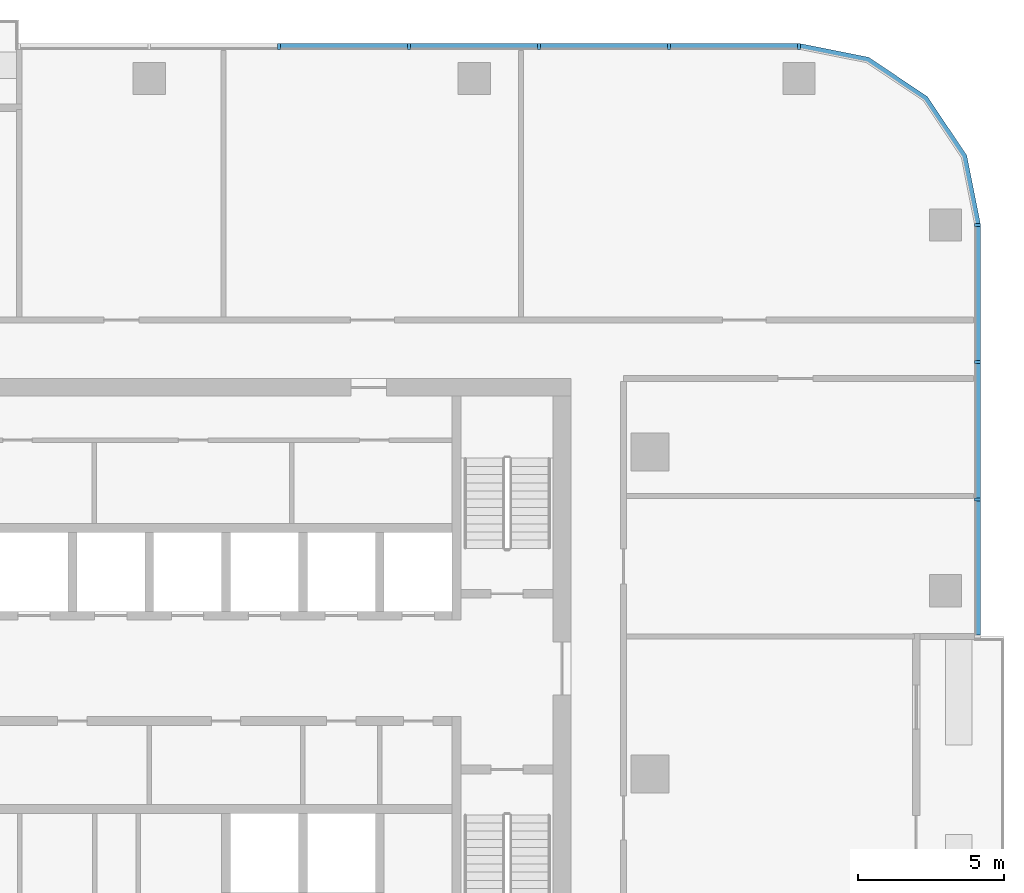
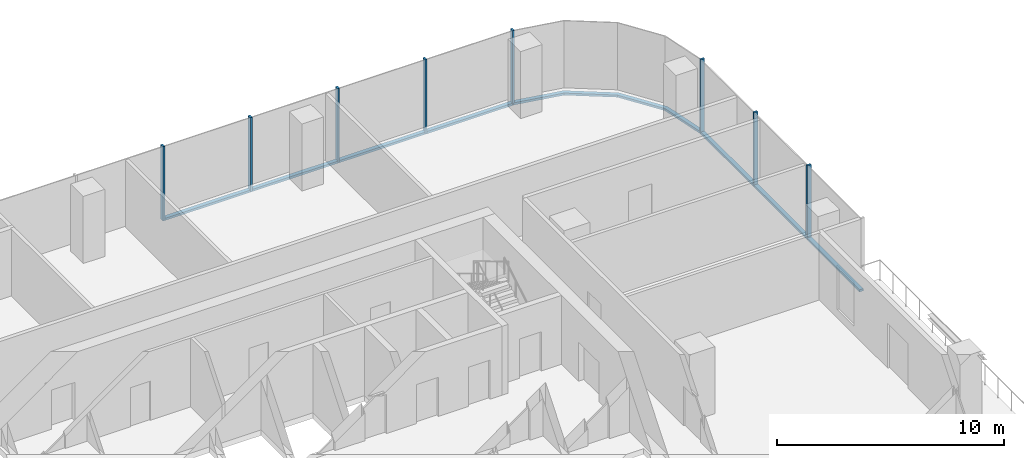
# One storey, part 5 of 14: 16 members, 3 elements without a shape of their own.
"""IFC4 building model written with IfcOpenShell, lengths in metres."""

from ifc_helpers import new_model, si_unit, direction, frame, origin, origin_2d, place, context, subcontext, project, spatial, polyline, rectangle, outline, extrude, material, material_profile, profile_set, type_object, element, aggregate, save


model = new_model("IFC4")

# Units and contexts
model_context = context("Model", 3, precision=1e-05, world=origin(), true_north=direction((0.0, 1.0)))
body_context = subcontext(model_context, "Body", "Model", "MODEL_VIEW")
ifc_project = project(units=[si_unit("LENGTHUNIT", "METRE"), si_unit("AREAUNIT", "SQUARE_METRE"), si_unit("VOLUMEUNIT", "CUBIC_METRE"), si_unit("PLANEANGLEUNIT", "RADIAN"), si_unit("MASSUNIT", "GRAM", prefix="KILO")], contexts=[model_context])

# Site, building, storey
site_placement = place(None, origin())
site = spatial("IfcSite", under=ifc_project, at=site_placement, CompositionType="ELEMENT")
building_placement = place(site_placement, origin())
building = spatial("IfcBuilding", under=site, at=building_placement, Name="Mopane Tessera Tower", CompositionType="ELEMENT")
storey_placement = place(building_placement, frame((0.0, 0.0, 219.0)))
storey = spatial("IfcBuildingStorey", under=building, at=storey_placement, Name="L46", CompositionType="ELEMENT", Elevation=219.0)

# Curtain wall, members
ifc_material_1 = material(Name="Aluminium frame", Category="aluminium")
curtain_wall_type = type_object("IfcCurtainWallType", Name="Unitised curtain wall", PredefinedType="NOTDEFINED", material=ifc_material_1)
curtain_wall_1_placement = place(storey_placement, origin())
curtain_wall_1 = element("IfcCurtainWall", 1, at=curtain_wall_1_placement, inside=storey, type_object=curtain_wall_type, Name="e:cw:L46:E:5", PredefinedType="NOTDEFINED")
ifc_material_2 = material(Name="Aluminium frame", Category="aluminium")
ifc_material_profile_1 = material_profile(ifc_material_2, rectangle(XDim=0.10009765625, YDim=0.199951171875, at=origin_2d()))
ifc_profile_set_1 = profile_set([ifc_material_profile_1], Name="Aluminium frame")
member_type_1 = type_object("IfcMemberType", Name="Aluminium mullion 100 x 200", PredefinedType="MULLION", material=ifc_profile_set_1)
member_1_placement = place(storey_placement, frame((28.300048828125, 9.375, -0.39990234375), z_axis=(0.0, 0.0, 1.0), x_axis=(0.0, 1.0, 0.0)))
member_1 = element("IfcMember", 2, at=member_1_placement, type_object=member_type_1, Name="e:cw:L46:E:5:mu6", PredefinedType="MULLION", context=body_context, shape_type="SweptSolid", body=[
    extrude(rectangle(XDim=0.10009765625, YDim=0.199951171875, at=origin_2d()), origin(), (0.0, 0.0, 1.0), 4.0),
])
member_2_placement = place(storey_placement, frame((28.300048828125, 14.0625, -0.39990234375), z_axis=(0.0, 0.0, 1.0), x_axis=(0.0, 1.0, 0.0)))
member_2 = element("IfcMember", 3, at=member_2_placement, type_object=member_type_1, Name="e:cw:L46:E:5:mu7", PredefinedType="MULLION", context=body_context, shape_type="SweptSolid", body=[
    extrude(rectangle(XDim=0.10009765625, YDim=0.199951171875, at=origin_2d()), origin(), (0.0, 0.0, 1.0), 4.0),
])
member_3_placement = place(storey_placement, frame((28.300048828125, 18.75, -0.39990234375), z_axis=(0.0, 0.0, 1.0), x_axis=(0.0, 1.0, 0.0)))
member_3 = element("IfcMember", 4, at=member_3_placement, type_object=member_type_1, Name="e:cw:L46:E:5:mu8", PredefinedType="MULLION", context=body_context, shape_type="SweptSolid", body=[
    extrude(rectangle(XDim=0.10009765625, YDim=0.199951171875, at=origin_2d()), origin(), (0.0, 0.0, 1.0), 4.0),
])

curtain_wall_2_placement = place(storey_placement, origin())
curtain_wall_2 = element("IfcCurtainWall", 5, at=curtain_wall_2_placement, inside=storey, type_object=curtain_wall_type, Name="e:cw:L46:N:0", PredefinedType="NOTDEFINED")
member_4_placement = place(storey_placement, frame((22.199951171875, 24.85009765625, -0.39990234375), z_axis=(0.0, 0.0, 1.0), x_axis=(-1.0, 0.0, 0.0)))
member_4 = element("IfcMember", 6, at=member_4_placement, type_object=member_type_1, Name="e:cw:L46:N:0:mu0", PredefinedType="MULLION", context=body_context, shape_type="SweptSolid", body=[
    extrude(rectangle(XDim=0.10009765625, YDim=0.199951171875, at=origin_2d()), origin(), (0.0, 0.0, 1.0), 4.0),
])
member_5_placement = place(storey_placement, frame((17.760009765625, 24.85009765625, -0.39990234375), z_axis=(0.0, 0.0, 1.0), x_axis=(-1.0, 0.0, 0.0)))
member_5 = element("IfcMember", 7, at=member_5_placement, type_object=member_type_1, Name="e:cw:L46:N:0:mu1", PredefinedType="MULLION", context=body_context, shape_type="SweptSolid", body=[
    extrude(rectangle(XDim=0.10009765625, YDim=0.199951171875, at=origin_2d()), origin(), (0.0, 0.0, 1.0), 4.0),
])
member_6_placement = place(storey_placement, frame((13.320068359375, 24.85009765625, -0.39990234375), z_axis=(0.0, 0.0, 1.0), x_axis=(-1.0, 0.0, 0.0)))
member_6 = element("IfcMember", 8, at=member_6_placement, type_object=member_type_1, Name="e:cw:L46:N:0:mu2", PredefinedType="MULLION", context=body_context, shape_type="SweptSolid", body=[
    extrude(rectangle(XDim=0.10009765625, YDim=0.199951171875, at=origin_2d()), origin(), (0.0, 0.0, 1.0), 4.0),
])
member_7_placement = place(storey_placement, frame((8.8798828125, 24.85009765625, -0.39990234375), z_axis=(0.0, 0.0, 1.0), x_axis=(-1.0, 0.0, 0.0)))
member_7 = element("IfcMember", 9, at=member_7_placement, type_object=member_type_1, Name="e:cw:L46:N:0:mu3", PredefinedType="MULLION", context=body_context, shape_type="SweptSolid", body=[
    extrude(rectangle(XDim=0.10009765625, YDim=0.199951171875, at=origin_2d()), origin(), (0.0, 0.0, 1.0), 4.0),
])
member_8_placement = place(storey_placement, frame((4.43994140625, 24.85009765625, -0.39990234375), z_axis=(0.0, 0.0, 1.0), x_axis=(-1.0, 0.0, 0.0)))
member_8 = element("IfcMember", 10, at=member_8_placement, type_object=member_type_1, Name="e:cw:L46:N:0:mu4", PredefinedType="MULLION", context=body_context, shape_type="SweptSolid", body=[
    extrude(rectangle(XDim=0.10009765625, YDim=0.199951171875, at=origin_2d()), origin(), (0.0, 0.0, 1.0), 4.0),
])

# Member
ifc_material_3 = material(Name="Aluminium frame", Category="aluminium")
ifc_material_profile_2 = material_profile(ifc_material_3, rectangle(XDim=0.199951171875, YDim=0.1201171875, at=origin_2d()))
ifc_profile_set_2 = profile_set([ifc_material_profile_2], Name="Aluminium frame")
member_type_2 = type_object("IfcMemberType", Name="Aluminium transom 200 x 120", PredefinedType="USERDEFINED", material=ifc_profile_set_2)
member_9_placement = place(storey_placement, frame((28.300048828125, 4.737548828125, -0.340087890625), z_axis=(0.0, 1.0, 0.0), x_axis=(-1.0, 0.0, 0.0)))
member_9 = element("IfcMember", 11, at=member_9_placement, type_object=member_type_2, Name="e:cw:L46:E:5:tr5", ObjectType="TRANSOM", PredefinedType="USERDEFINED", context=body_context, shape_type="SweptSolid", body=[
    extrude(rectangle(XDim=0.199951171875, YDim=0.1201171875, at=origin_2d()), origin(), (0.0, 0.0, 1.0), 4.58740234375),
])

member_10_placement = place(storey_placement, frame((28.300048828125, 9.425048828125, -0.340087890625), z_axis=(0.0, 1.0, 0.0), x_axis=(-1.0, 0.0, 0.0)))
member_10 = element("IfcMember", 12, at=member_10_placement, type_object=member_type_2, Name="e:cw:L46:E:5:tr6", ObjectType="TRANSOM", PredefinedType="USERDEFINED", context=body_context, shape_type="SweptSolid", body=[
    extrude(rectangle(XDim=0.199951171875, YDim=0.1201171875, at=origin_2d()), origin(), (0.0, 0.0, 1.0), 4.58740234375),
])

member_11_placement = place(storey_placement, frame((28.300048828125, 14.112548828125, -0.340087890625), z_axis=(0.0, 1.0, 0.0), x_axis=(-1.0, 0.0, 0.0)))
member_11 = element("IfcMember", 13, at=member_11_placement, type_object=member_type_2, Name="e:cw:L46:E:5:tr7", ObjectType="TRANSOM", PredefinedType="USERDEFINED", context=body_context, shape_type="SweptSolid", body=[
    extrude(rectangle(XDim=0.199951171875, YDim=0.1201171875, at=origin_2d()), origin(), (0.0, 0.0, 1.0), 4.58740234375),
])

aggregate(curtain_wall_1, [member_1, member_2, member_3, member_9, member_10, member_11])

# Curtain wall, member
curtain_wall_3_placement = place(storey_placement, origin())
curtain_wall_3 = element("IfcCurtainWall", 14, at=curtain_wall_3_placement, inside=storey, type_object=curtain_wall_type, Name="e:cw:L46:CE", PredefinedType="NOTDEFINED")
member_12_placement = place(storey_placement, frame((0.0, 0.0, -0.39990234375)))
member_12 = element("IfcMember", 15, at=member_12_placement, type_object=member_type_2, Name="e:cw:L46:CE:tr", ObjectType="TRANSOM", PredefinedType="USERDEFINED", context=body_context, shape_type="SweptSolid", body=[
    extrude(outline(polyline([(28.199951171875, 18.75), (27.7431640625, 21.046142578125), (26.442626953125, 22.99267578125), (24.49609375, 24.293212890625), (22.199951171875, 24.75), (22.199951171875, 24.949951171875), (24.57275390625, 24.47802734375), (26.583984375, 23.134033203125), (27.927978515625, 21.12255859375), (28.39990234375, 18.75), (28.199951171875, 18.75)])), origin(), (0.0, 0.0, 1.0), 0.119873046875),
])
aggregate(curtain_wall_3, [member_12])

# Member
member_13_placement = place(storey_placement, frame((22.14990234375, 24.85009765625, -0.340087890625), z_axis=(-1.0, 0.0, 0.0), x_axis=(0.0, -1.0, 0.0)))
member_13 = element("IfcMember", 16, at=member_13_placement, type_object=member_type_2, Name="e:cw:L46:N:0:tr0", ObjectType="TRANSOM", PredefinedType="USERDEFINED", context=body_context, shape_type="SweptSolid", body=[
    extrude(rectangle(XDim=0.199951171875, YDim=0.1201171875, at=origin_2d()), origin(), (0.0, 0.0, 1.0), 4.33984375),
])

member_14_placement = place(storey_placement, frame((17.7099609375, 24.85009765625, -0.340087890625), z_axis=(-1.0, 0.0, 0.0), x_axis=(0.0, -1.0, 0.0)))
member_14 = element("IfcMember", 17, at=member_14_placement, type_object=member_type_2, Name="e:cw:L46:N:0:tr1", ObjectType="TRANSOM", PredefinedType="USERDEFINED", context=body_context, shape_type="SweptSolid", body=[
    extrude(rectangle(XDim=0.199951171875, YDim=0.1201171875, at=origin_2d()), origin(), (0.0, 0.0, 1.0), 4.33984375),
])

member_15_placement = place(storey_placement, frame((13.27001953125, 24.85009765625, -0.340087890625), z_axis=(-1.0, 0.0, 0.0), x_axis=(0.0, -1.0, 0.0)))
member_15 = element("IfcMember", 18, at=member_15_placement, type_object=member_type_2, Name="e:cw:L46:N:0:tr2", ObjectType="TRANSOM", PredefinedType="USERDEFINED", context=body_context, shape_type="SweptSolid", body=[
    extrude(rectangle(XDim=0.199951171875, YDim=0.1201171875, at=origin_2d()), origin(), (0.0, 0.0, 1.0), 4.340087890625),
])

member_16_placement = place(storey_placement, frame((8.830078125, 24.85009765625, -0.340087890625), z_axis=(-1.0, 0.0, 0.0), x_axis=(0.0, -1.0, 0.0)))
member_16 = element("IfcMember", 19, at=member_16_placement, type_object=member_type_2, Name="e:cw:L46:N:0:tr3", ObjectType="TRANSOM", PredefinedType="USERDEFINED", context=body_context, shape_type="SweptSolid", body=[
    extrude(rectangle(XDim=0.199951171875, YDim=0.1201171875, at=origin_2d()), origin(), (0.0, 0.0, 1.0), 4.340087890625),
])

aggregate(curtain_wall_2, [member_4, member_5, member_6, member_7, member_8, member_13, member_14, member_15, member_16])

save(model, "model.ifc")
